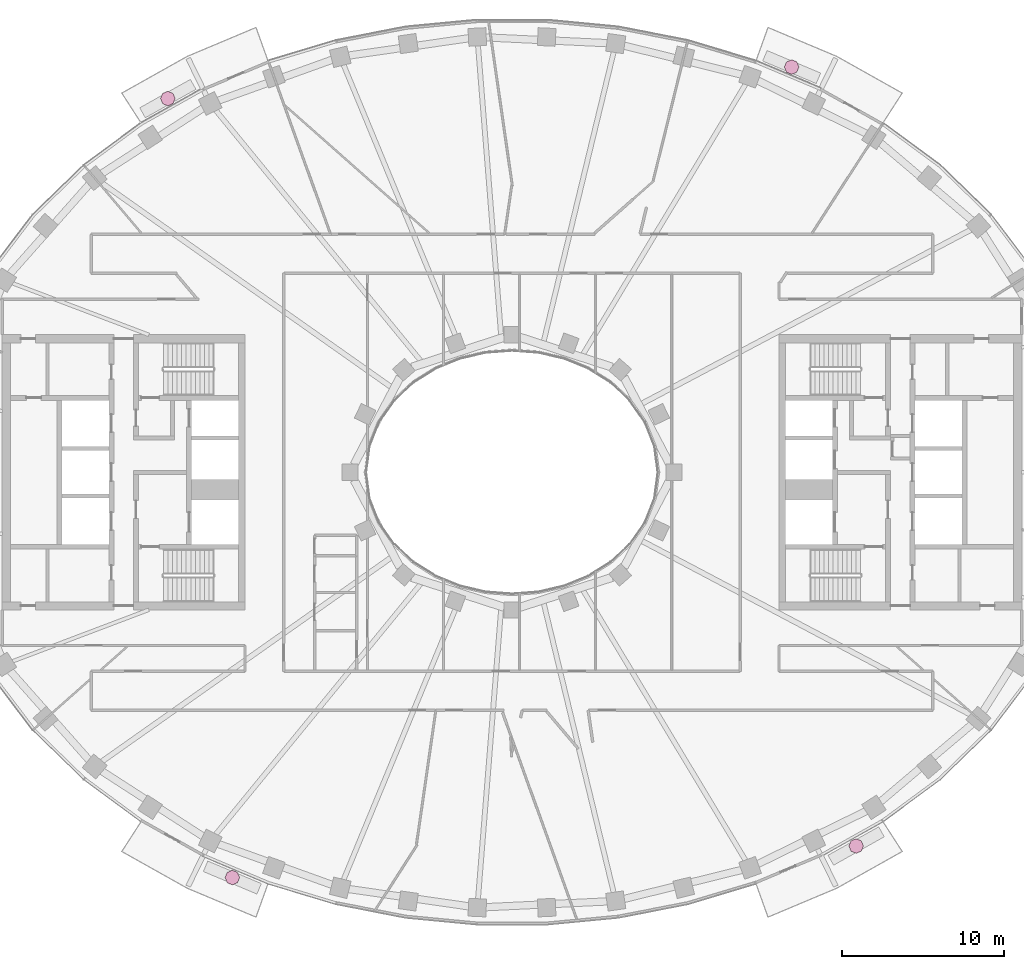
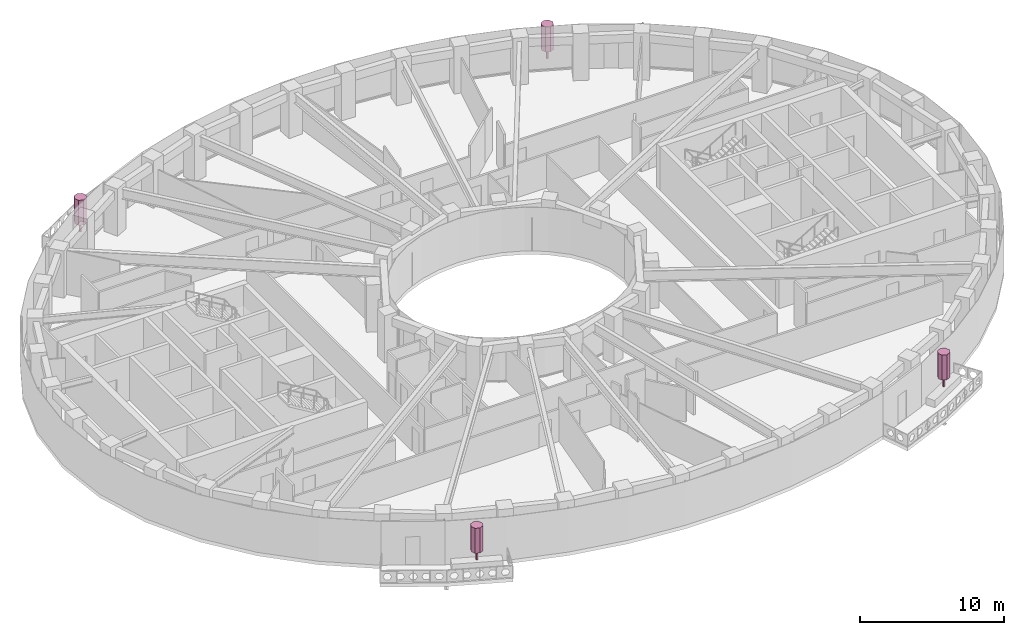
# One storey, part 15 of 15: 4 furnishings.
"""IFC4 building model written with IfcOpenShell, lengths in metres."""

from ifc_helpers import new_model, si_unit, direction, frame, origin, origin_2d, place, context, subcontext, project, spatial, polyline, rectangle, outline, extrude, material, type_object, element, save


model = new_model("IFC4")

# Units and contexts
model_context = context("Model", 3, precision=1e-05, world=origin(), true_north=direction((0.0, 1.0)))
body_context = subcontext(model_context, "Body", "Model", "MODEL_VIEW")
ifc_project = project(units=[si_unit("LENGTHUNIT", "METRE"), si_unit("AREAUNIT", "SQUARE_METRE"), si_unit("VOLUMEUNIT", "CUBIC_METRE"), si_unit("PLANEANGLEUNIT", "RADIAN"), si_unit("MASSUNIT", "GRAM", prefix="KILO")], contexts=[model_context])

# Site, building, storey
site_placement = place(None, origin())
site = spatial("IfcSite", under=ifc_project, at=site_placement, CompositionType="ELEMENT")
building_placement = place(site_placement, origin())
building = spatial("IfcBuilding", under=site, at=building_placement, Name="Noorbagh Ring Tower", CompositionType="ELEMENT")
storey_placement = place(building_placement, frame((0.0, 0.0, 253.5)))
storey = spatial("IfcBuildingStorey", under=building, at=storey_placement, Name="L53", CompositionType="ELEMENT", Elevation=253.5)

# Furnishings
ifc_material = material(Name="Planting foliage green")
furnishing_element_type = type_object("IfcFurnishingElementType", Name="ENV-TREE", material=ifc_material)
for number, where, z_axis, x_axis, name in (
    (1, (17.280517578125, 25.041259765625, 0.60009765625), (0.0, 0.0, 1.0), (1.0, 0.0, 0.0), "Tree BN02"),
    (2, (-21.26513671875, 23.093017578125, 0.60009765625), (0.0, 0.0, 1.0), (1.0, 0.0, 0.0), "Tree BN05"),
    (3, (-17.280517578125, -25.041259765625, 0.60009765625), (0.0, 0.0, 1.0), (1.0, 0.0, 0.0), "Tree BS02"),
    (4, (21.26513671875, -23.093017578125, 0.60009765625), (0.0, 0.0, 1.0), (1.0, 0.0, 0.0), "Tree BS05"),
):
    element("IfcFurnishingElement", number, at=place(storey_placement, frame(where, z_axis=z_axis, x_axis=x_axis)), inside=storey, type_object=furnishing_element_type, Name=name, context=body_context, shape_type="SweptSolid", body=[
        extrude(rectangle(XDim=0.1201171875, YDim=0.1201171875, at=origin_2d()), origin(), (0.0, 0.0, 1.0), 0.825927734375),
        extrude(outline(polyline([(0.449951171875, 0.0), (0.318115234375, 0.318115234375), (0.0, 0.449951171875), (-0.318115234375, 0.318115234375), (-0.449951171875, 0.0), (-0.318115234375, -0.318115234375), (0.0, -0.449951171875), (0.318115234375, -0.318115234375), (0.449951171875, 0.0)])), frame((0.0, 0.0, 0.825927734375)), (0.0, 0.0, 1.0), 2.1240234375),
    ])

save(model, "model.ifc")
